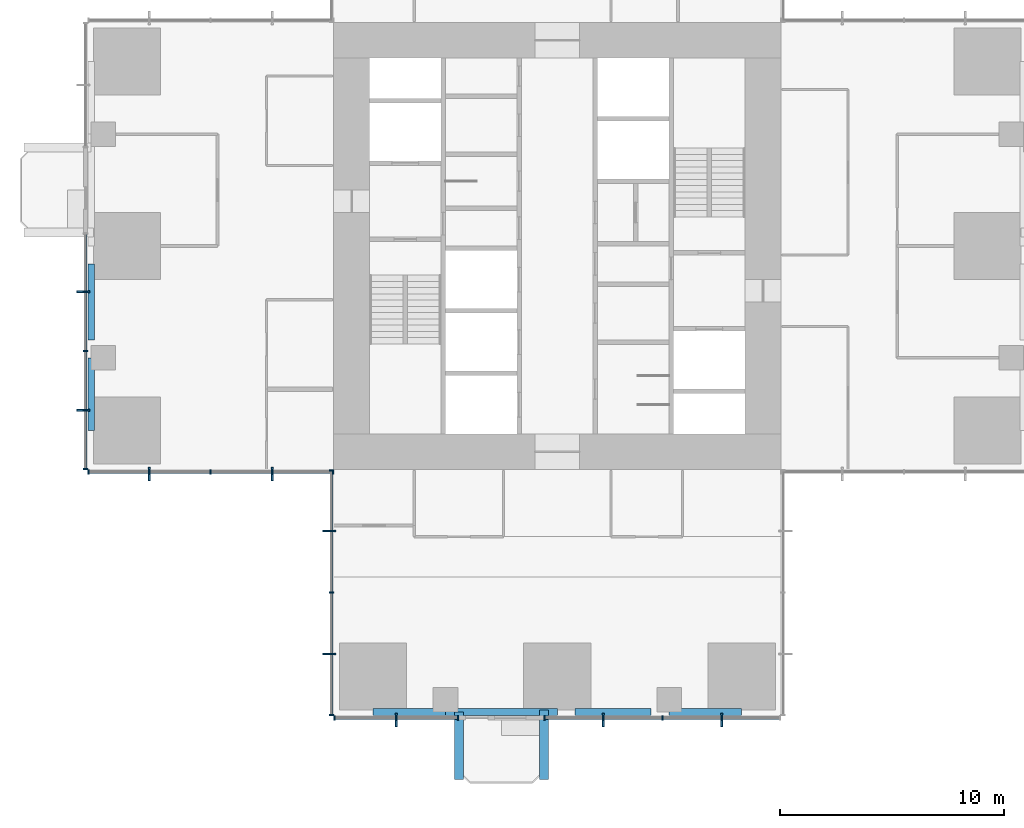
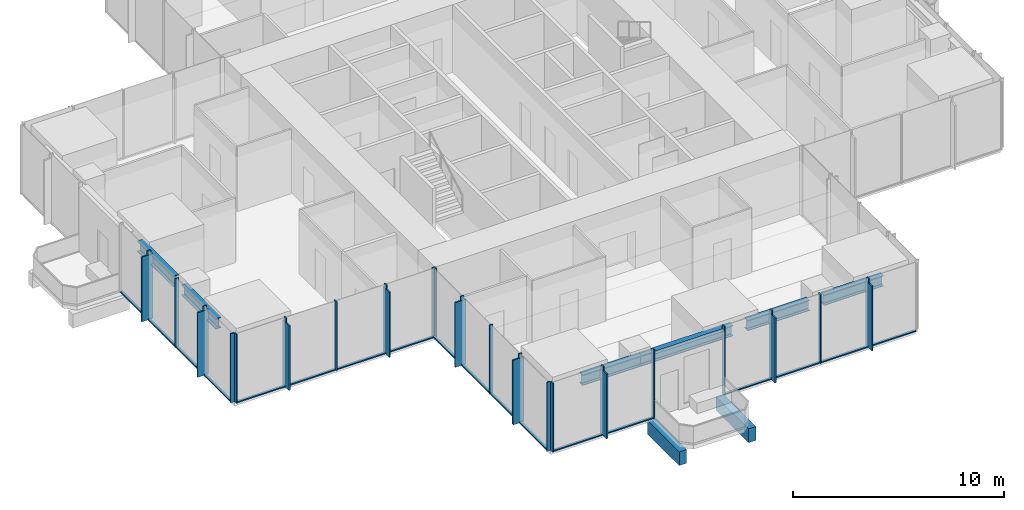
# One storey, part 2 of 13: 48 members, 8 beams, 5 elements without a shape of their own.
"""IFC4 building model written with IfcOpenShell, lengths in metres."""

from ifc_helpers import new_model, si_unit, direction, frame, origin, origin_2d, place, context, subcontext, project, spatial, rectangle, i_section, extrude, material, material_profile, profile_set, type_object, element, aggregate, save


model = new_model("IFC4")

# Units and contexts
model_context = context("Model", 3, precision=1e-05, world=origin(), true_north=direction((0.0, 1.0)))
body_context = subcontext(model_context, "Body", "Model", "MODEL_VIEW")
ifc_project = project(units=[si_unit("LENGTHUNIT", "METRE"), si_unit("AREAUNIT", "SQUARE_METRE"), si_unit("VOLUMEUNIT", "CUBIC_METRE"), si_unit("PLANEANGLEUNIT", "RADIAN"), si_unit("MASSUNIT", "GRAM", prefix="KILO")], contexts=[model_context])

# Site, building, storey
site_placement = place(None, origin())
site = spatial("IfcSite", under=ifc_project, at=site_placement, CompositionType="ELEMENT")
building_placement = place(site_placement, origin())
building = spatial("IfcBuilding", under=site, at=building_placement, Name="Svetlomir Tower", CompositionType="ELEMENT")
storey_placement = place(building_placement, frame((0.0, 0.0, 140.5)))
storey = spatial("IfcBuildingStorey", under=building, at=storey_placement, Name="L33", CompositionType="ELEMENT", Elevation=140.5)

# Beams
ifc_material_1 = material(Name="Concrete C60/75", Category="concrete")
ifc_material_profile_1 = material_profile(ifc_material_1, rectangle(XDim=0.39990234375, YDim=0.800048828125, at=origin_2d()), Name="RC 400x800")
ifc_profile_set_1 = profile_set([ifc_material_profile_1], Name="Concrete C60/75")
beam_type_1 = type_object("IfcBeamType", Name="BALCONY RIB RC 400x800", PredefinedType="BEAM", material=ifc_profile_set_1)
beam_1_placement = place(storey_placement, frame((16.60009765625, 0.14990234375, -0.64990234375), z_axis=(0.0, -1.0, 0.0), x_axis=(1.0, 0.0, 0.0)))
element("IfcBeam", 1, at=beam_1_placement, inside=storey, type_object=beam_type_1, Name="Balcony rib S 1 L33", PredefinedType="BEAM", context=body_context, shape_type="SweptSolid", body=[
    extrude(rectangle(XDim=0.39990234375, YDim=0.800048828125, at=origin_2d()), origin(), (0.0, 0.0, 1.0), 3.0),
])
beam_2_placement = place(storey_placement, frame((20.39990234375, 0.25, -0.64990234375), z_axis=(0.0, -1.0, 0.0), x_axis=(1.0, 0.0, 0.0)))
element("IfcBeam", 2, at=beam_2_placement, inside=storey, type_object=beam_type_1, Name="Balcony rib S 2 L33", PredefinedType="BEAM", context=body_context, shape_type="SweptSolid", body=[
    extrude(rectangle(XDim=0.39990234375, YDim=0.800048828125, at=origin_2d()), origin(), (0.0, 0.0, 1.0), 3.10009765625),
])

# Curtain wall, member
ifc_material_2 = material(Name="Bronze anodised aluminium curtain wall", Category="aluminium")
curtain_wall_type = type_object("IfcCurtainWallType", Name="CURTAIN WALL CW1 TOWER OFFICE", PredefinedType="NOTDEFINED", material=ifc_material_2)
curtain_wall_1_placement = place(storey_placement, origin())
curtain_wall_1 = element("IfcCurtainWall", 3, at=curtain_wall_1_placement, inside=storey, type_object=curtain_wall_type, Name="Curtain wall CW1 L33", PredefinedType="NOTDEFINED")
ifc_material_3 = material(Name="Bronze anodised aluminium", Category="aluminium")
ifc_material_profile_2 = material_profile(ifc_material_3, rectangle(XDim=0.080078125, YDim=0.60009765625, at=origin_2d()), Name="FIN 80x600")
ifc_profile_set_2 = profile_set([ifc_material_profile_2], Name="Bronze anodised aluminium 6063-T6")
member_type_1 = type_object("IfcMemberType", Name="BRONZE FIN 80x600", PredefinedType="USERDEFINED", material=ifc_profile_set_2)
member_1_placement = place(storey_placement, frame((13.800048828125, -0.199951171875, 0.0), z_axis=(0.0, 0.0, 1.0), x_axis=(1.0, 0.0, 0.0)))
member_1 = element("IfcMember", 4, at=member_1_placement, type_object=member_type_1, Name="Bronze fin L33", ObjectType="FIN", PredefinedType="USERDEFINED", context=body_context, shape_type="SweptSolid", body=[
    extrude(rectangle(XDim=0.080078125, YDim=0.60009765625, at=origin_2d()), origin(), (0.0, 0.0, 1.0), 3.75),
])

# Curtain wall, members
curtain_wall_2_placement = place(storey_placement, origin())
curtain_wall_2 = element("IfcCurtainWall", 5, at=curtain_wall_2_placement, inside=storey, type_object=curtain_wall_type, Name="Curtain wall CW1 L33", PredefinedType="NOTDEFINED")
member_2_placement = place(storey_placement, frame((23.050048828125, -0.199951171875, 0.0), z_axis=(0.0, 0.0, 1.0), x_axis=(1.0, 0.0, 0.0)))
member_2 = element("IfcMember", 6, at=member_2_placement, type_object=member_type_1, Name="Bronze fin L33", ObjectType="FIN", PredefinedType="USERDEFINED", context=body_context, shape_type="SweptSolid", body=[
    extrude(rectangle(XDim=0.080078125, YDim=0.60009765625, at=origin_2d()), origin(), (0.0, 0.0, 1.0), 3.75),
])
member_3_placement = place(storey_placement, frame((28.35009765625, -0.199951171875, 0.0), z_axis=(0.0, 0.0, 1.0), x_axis=(1.0, 0.0, 0.0)))
member_3 = element("IfcMember", 7, at=member_3_placement, type_object=member_type_1, Name="Bronze fin L33", ObjectType="FIN", PredefinedType="USERDEFINED", context=body_context, shape_type="SweptSolid", body=[
    extrude(rectangle(XDim=0.080078125, YDim=0.60009765625, at=origin_2d()), origin(), (0.0, 0.0, 1.0), 3.75),
])

curtain_wall_3_placement = place(storey_placement, origin())
curtain_wall_3 = element("IfcCurtainWall", 8, at=curtain_wall_3_placement, inside=storey, type_object=curtain_wall_type, Name="Curtain wall CW1 L33", PredefinedType="NOTDEFINED")
member_4_placement = place(storey_placement, frame((-0.199951171875, 18.949951171875, 0.0), z_axis=(0.0, 0.0, 1.0), x_axis=(0.0, 1.0, 0.0)))
member_4 = element("IfcMember", 9, at=member_4_placement, type_object=member_type_1, Name="Bronze fin L33", ObjectType="FIN", PredefinedType="USERDEFINED", context=body_context, shape_type="SweptSolid", body=[
    extrude(rectangle(XDim=0.080078125, YDim=0.60009765625, at=origin_2d()), origin(), (0.0, 0.0, 1.0), 3.75),
])
member_5_placement = place(storey_placement, frame((-0.199951171875, 13.64990234375, 0.0), z_axis=(0.0, 0.0, 1.0), x_axis=(0.0, 1.0, 0.0)))
member_5 = element("IfcMember", 10, at=member_5_placement, type_object=member_type_1, Name="Bronze fin L33", ObjectType="FIN", PredefinedType="USERDEFINED", context=body_context, shape_type="SweptSolid", body=[
    extrude(rectangle(XDim=0.080078125, YDim=0.60009765625, at=origin_2d()), origin(), (0.0, 0.0, 1.0), 3.75),
])

curtain_wall_4_placement = place(storey_placement, origin())
curtain_wall_4 = element("IfcCurtainWall", 11, at=curtain_wall_4_placement, inside=storey, type_object=curtain_wall_type, Name="Curtain wall CW1 L33", PredefinedType="NOTDEFINED")
member_6_placement = place(storey_placement, frame((2.75, 10.800048828125, 0.0), z_axis=(0.0, 0.0, 1.0), x_axis=(1.0, 0.0, 0.0)))
member_6 = element("IfcMember", 12, at=member_6_placement, type_object=member_type_1, Name="Bronze fin L33", ObjectType="FIN", PredefinedType="USERDEFINED", context=body_context, shape_type="SweptSolid", body=[
    extrude(rectangle(XDim=0.080078125, YDim=0.60009765625, at=origin_2d()), origin(), (0.0, 0.0, 1.0), 3.75),
])
member_7_placement = place(storey_placement, frame((8.25, 10.800048828125, 0.0), z_axis=(0.0, 0.0, 1.0), x_axis=(1.0, 0.0, 0.0)))
member_7 = element("IfcMember", 13, at=member_7_placement, type_object=member_type_1, Name="Bronze fin L33", ObjectType="FIN", PredefinedType="USERDEFINED", context=body_context, shape_type="SweptSolid", body=[
    extrude(rectangle(XDim=0.080078125, YDim=0.60009765625, at=origin_2d()), origin(), (0.0, 0.0, 1.0), 3.75),
])

curtain_wall_5_placement = place(storey_placement, origin())
curtain_wall_5 = element("IfcCurtainWall", 14, at=curtain_wall_5_placement, inside=storey, type_object=curtain_wall_type, Name="Curtain wall CW1 L33", PredefinedType="NOTDEFINED")
member_8_placement = place(storey_placement, frame((10.800048828125, 8.25, 0.0), z_axis=(0.0, 0.0, 1.0), x_axis=(0.0, 1.0, 0.0)))
member_8 = element("IfcMember", 15, at=member_8_placement, type_object=member_type_1, Name="Bronze fin L33", ObjectType="FIN", PredefinedType="USERDEFINED", context=body_context, shape_type="SweptSolid", body=[
    extrude(rectangle(XDim=0.080078125, YDim=0.60009765625, at=origin_2d()), origin(), (0.0, 0.0, 1.0), 3.75),
])
member_9_placement = place(storey_placement, frame((10.800048828125, 2.75, 0.0), z_axis=(0.0, 0.0, 1.0), x_axis=(0.0, 1.0, 0.0)))
member_9 = element("IfcMember", 16, at=member_9_placement, type_object=member_type_1, Name="Bronze fin L33", ObjectType="FIN", PredefinedType="USERDEFINED", context=body_context, shape_type="SweptSolid", body=[
    extrude(rectangle(XDim=0.080078125, YDim=0.60009765625, at=origin_2d()), origin(), (0.0, 0.0, 1.0), 3.75),
])

# Member
ifc_material_4 = material(Name="Bronze anodised aluminium", Category="aluminium")
ifc_material_profile_3 = material_profile(ifc_material_4, rectangle(XDim=0.06494140625, YDim=0.199951171875, at=origin_2d()), Name="AL 65x200")
ifc_profile_set_3 = profile_set([ifc_material_profile_3], Name="Bronze anodised aluminium 6063-T6")
member_type_2 = type_object("IfcMemberType", Name="CW1 MULLION 65x200", PredefinedType="MULLION", material=ifc_profile_set_3)
member_10_placement = place(storey_placement, frame((11.032470703125, -0.10009765625, 0.0), z_axis=(0.0, 0.0, 1.0), x_axis=(1.0, 0.0, 0.0)))
member_10 = element("IfcMember", 17, at=member_10_placement, type_object=member_type_2, Name="CW1 mullion 1", PredefinedType="MULLION", context=body_context, shape_type="SweptSolid", body=[
    extrude(rectangle(XDim=0.06494140625, YDim=0.199951171875, at=origin_2d()), origin(), (0.0, 0.0, 1.0), 4.0),
])

member_11_placement = place(storey_placement, frame((13.800048828125, -0.10009765625, 0.0), z_axis=(0.0, 0.0, 1.0), x_axis=(1.0, 0.0, 0.0)))
member_11 = element("IfcMember", 18, at=member_11_placement, type_object=member_type_2, Name="CW1 mullion 2", PredefinedType="MULLION", context=body_context, shape_type="SweptSolid", body=[
    extrude(rectangle(XDim=0.06494140625, YDim=0.199951171875, at=origin_2d()), origin(), (0.0, 0.0, 1.0), 4.0),
])

member_12_placement = place(storey_placement, frame((16.5673828125, -0.10009765625, 0.0), z_axis=(0.0, 0.0, 1.0), x_axis=(1.0, 0.0, 0.0)))
member_12 = element("IfcMember", 19, at=member_12_placement, type_object=member_type_2, Name="CW1 mullion 3", PredefinedType="MULLION", context=body_context, shape_type="SweptSolid", body=[
    extrude(rectangle(XDim=0.06494140625, YDim=0.199951171875, at=origin_2d()), origin(), (0.0, 0.0, 1.0), 4.0),
])

member_13_placement = place(storey_placement, frame((20.4326171875, -0.10009765625, 0.0), z_axis=(0.0, 0.0, 1.0), x_axis=(1.0, 0.0, 0.0)))
member_13 = element("IfcMember", 20, at=member_13_placement, type_object=member_type_2, Name="CW1 mullion 1", PredefinedType="MULLION", context=body_context, shape_type="SweptSolid", body=[
    extrude(rectangle(XDim=0.06494140625, YDim=0.199951171875, at=origin_2d()), origin(), (0.0, 0.0, 1.0), 4.0),
])

member_14_placement = place(storey_placement, frame((23.050048828125, -0.10009765625, 0.0), z_axis=(0.0, 0.0, 1.0), x_axis=(1.0, 0.0, 0.0)))
member_14 = element("IfcMember", 21, at=member_14_placement, type_object=member_type_2, Name="CW1 mullion 2", PredefinedType="MULLION", context=body_context, shape_type="SweptSolid", body=[
    extrude(rectangle(XDim=0.06494140625, YDim=0.199951171875, at=origin_2d()), origin(), (0.0, 0.0, 1.0), 4.0),
])

member_15_placement = place(storey_placement, frame((25.699951171875, -0.10009765625, 0.0), z_axis=(0.0, 0.0, 1.0), x_axis=(1.0, 0.0, 0.0)))
member_15 = element("IfcMember", 22, at=member_15_placement, type_object=member_type_2, Name="CW1 mullion 3", PredefinedType="MULLION", context=body_context, shape_type="SweptSolid", body=[
    extrude(rectangle(XDim=0.06494140625, YDim=0.199951171875, at=origin_2d()), origin(), (0.0, 0.0, 1.0), 4.0),
])

member_16_placement = place(storey_placement, frame((28.35009765625, -0.10009765625, 0.0), z_axis=(0.0, 0.0, 1.0), x_axis=(1.0, 0.0, 0.0)))
member_16 = element("IfcMember", 23, at=member_16_placement, type_object=member_type_2, Name="CW1 mullion 4", PredefinedType="MULLION", context=body_context, shape_type="SweptSolid", body=[
    extrude(rectangle(XDim=0.06494140625, YDim=0.199951171875, at=origin_2d()), origin(), (0.0, 0.0, 1.0), 4.0),
])

member_17_placement = place(storey_placement, frame((-0.10009765625, 18.949951171875, 0.0), z_axis=(0.0, 0.0, 1.0), x_axis=(0.0, -1.0, 0.0)))
member_17 = element("IfcMember", 24, at=member_17_placement, type_object=member_type_2, Name="CW1 mullion 2", PredefinedType="MULLION", context=body_context, shape_type="SweptSolid", body=[
    extrude(rectangle(XDim=0.06494140625, YDim=0.199951171875, at=origin_2d()), origin(), (0.0, 0.0, 1.0), 4.0),
])

member_18_placement = place(storey_placement, frame((-0.10009765625, 16.300048828125, 0.0), z_axis=(0.0, 0.0, 1.0), x_axis=(0.0, -1.0, 0.0)))
member_18 = element("IfcMember", 25, at=member_18_placement, type_object=member_type_2, Name="CW1 mullion 3", PredefinedType="MULLION", context=body_context, shape_type="SweptSolid", body=[
    extrude(rectangle(XDim=0.06494140625, YDim=0.199951171875, at=origin_2d()), origin(), (0.0, 0.0, 1.0), 4.0),
])

member_19_placement = place(storey_placement, frame((-0.10009765625, 13.64990234375, 0.0), z_axis=(0.0, 0.0, 1.0), x_axis=(0.0, -1.0, 0.0)))
member_19 = element("IfcMember", 26, at=member_19_placement, type_object=member_type_2, Name="CW1 mullion 4", PredefinedType="MULLION", context=body_context, shape_type="SweptSolid", body=[
    extrude(rectangle(XDim=0.06494140625, YDim=0.199951171875, at=origin_2d()), origin(), (0.0, 0.0, 1.0), 4.0),
])

member_20_placement = place(storey_placement, frame((-0.10009765625, 11.032470703125, 0.0), z_axis=(0.0, 0.0, 1.0), x_axis=(0.0, -1.0, 0.0)))
member_20 = element("IfcMember", 27, at=member_20_placement, type_object=member_type_2, Name="CW1 mullion 5", PredefinedType="MULLION", context=body_context, shape_type="SweptSolid", body=[
    extrude(rectangle(XDim=0.06494140625, YDim=0.199951171875, at=origin_2d()), origin(), (0.0, 0.0, 1.0), 4.0),
])

member_21_placement = place(storey_placement, frame((0.032470703125, 10.89990234375, 0.0), z_axis=(0.0, 0.0, 1.0), x_axis=(1.0, 0.0, 0.0)))
member_21 = element("IfcMember", 28, at=member_21_placement, type_object=member_type_2, Name="CW1 mullion 1", PredefinedType="MULLION", context=body_context, shape_type="SweptSolid", body=[
    extrude(rectangle(XDim=0.06494140625, YDim=0.199951171875, at=origin_2d()), origin(), (0.0, 0.0, 1.0), 4.0),
])

member_22_placement = place(storey_placement, frame((2.75, 10.89990234375, 0.0), z_axis=(0.0, 0.0, 1.0), x_axis=(1.0, 0.0, 0.0)))
member_22 = element("IfcMember", 29, at=member_22_placement, type_object=member_type_2, Name="CW1 mullion 2", PredefinedType="MULLION", context=body_context, shape_type="SweptSolid", body=[
    extrude(rectangle(XDim=0.06494140625, YDim=0.199951171875, at=origin_2d()), origin(), (0.0, 0.0, 1.0), 4.0),
])

member_23_placement = place(storey_placement, frame((5.5, 10.89990234375, 0.0), z_axis=(0.0, 0.0, 1.0), x_axis=(1.0, 0.0, 0.0)))
member_23 = element("IfcMember", 30, at=member_23_placement, type_object=member_type_2, Name="CW1 mullion 3", PredefinedType="MULLION", context=body_context, shape_type="SweptSolid", body=[
    extrude(rectangle(XDim=0.06494140625, YDim=0.199951171875, at=origin_2d()), origin(), (0.0, 0.0, 1.0), 4.0),
])

member_24_placement = place(storey_placement, frame((8.25, 10.89990234375, 0.0), z_axis=(0.0, 0.0, 1.0), x_axis=(1.0, 0.0, 0.0)))
member_24 = element("IfcMember", 31, at=member_24_placement, type_object=member_type_2, Name="CW1 mullion 4", PredefinedType="MULLION", context=body_context, shape_type="SweptSolid", body=[
    extrude(rectangle(XDim=0.06494140625, YDim=0.199951171875, at=origin_2d()), origin(), (0.0, 0.0, 1.0), 4.0),
])

member_25_placement = place(storey_placement, frame((10.967529296875, 10.89990234375, 0.0), z_axis=(0.0, 0.0, 1.0), x_axis=(1.0, 0.0, 0.0)))
member_25 = element("IfcMember", 32, at=member_25_placement, type_object=member_type_2, Name="CW1 mullion 5", PredefinedType="MULLION", context=body_context, shape_type="SweptSolid", body=[
    extrude(rectangle(XDim=0.06494140625, YDim=0.199951171875, at=origin_2d()), origin(), (0.0, 0.0, 1.0), 4.0),
])

member_26_placement = place(storey_placement, frame((10.89990234375, 10.967529296875, 0.0), z_axis=(0.0, 0.0, 1.0), x_axis=(0.0, -1.0, 0.0)))
member_26 = element("IfcMember", 33, at=member_26_placement, type_object=member_type_2, Name="CW1 mullion 1", PredefinedType="MULLION", context=body_context, shape_type="SweptSolid", body=[
    extrude(rectangle(XDim=0.06494140625, YDim=0.199951171875, at=origin_2d()), origin(), (0.0, 0.0, 1.0), 4.0),
])

member_27_placement = place(storey_placement, frame((10.89990234375, 8.25, 0.0), z_axis=(0.0, 0.0, 1.0), x_axis=(0.0, -1.0, 0.0)))
member_27 = element("IfcMember", 34, at=member_27_placement, type_object=member_type_2, Name="CW1 mullion 2", PredefinedType="MULLION", context=body_context, shape_type="SweptSolid", body=[
    extrude(rectangle(XDim=0.06494140625, YDim=0.199951171875, at=origin_2d()), origin(), (0.0, 0.0, 1.0), 4.0),
])

member_28_placement = place(storey_placement, frame((10.89990234375, 5.5, 0.0), z_axis=(0.0, 0.0, 1.0), x_axis=(0.0, -1.0, 0.0)))
member_28 = element("IfcMember", 35, at=member_28_placement, type_object=member_type_2, Name="CW1 mullion 3", PredefinedType="MULLION", context=body_context, shape_type="SweptSolid", body=[
    extrude(rectangle(XDim=0.06494140625, YDim=0.199951171875, at=origin_2d()), origin(), (0.0, 0.0, 1.0), 4.0),
])

member_29_placement = place(storey_placement, frame((10.89990234375, 2.75, 0.0), z_axis=(0.0, 0.0, 1.0), x_axis=(0.0, -1.0, 0.0)))
member_29 = element("IfcMember", 36, at=member_29_placement, type_object=member_type_2, Name="CW1 mullion 4", PredefinedType="MULLION", context=body_context, shape_type="SweptSolid", body=[
    extrude(rectangle(XDim=0.06494140625, YDim=0.199951171875, at=origin_2d()), origin(), (0.0, 0.0, 1.0), 4.0),
])

member_30_placement = place(storey_placement, frame((10.89990234375, 0.032470703125, 0.0), z_axis=(0.0, 0.0, 1.0), x_axis=(0.0, -1.0, 0.0)))
member_30 = element("IfcMember", 37, at=member_30_placement, type_object=member_type_2, Name="CW1 mullion 5", PredefinedType="MULLION", context=body_context, shape_type="SweptSolid", body=[
    extrude(rectangle(XDim=0.06494140625, YDim=0.199951171875, at=origin_2d()), origin(), (0.0, 0.0, 1.0), 4.0),
])

ifc_material_5 = material(Name="Bronze anodised aluminium", Category="aluminium")
ifc_material_profile_4 = material_profile(ifc_material_5, rectangle(XDim=0.139892578125, YDim=0.06494140625, at=origin_2d()), Name="AL 140x65")
ifc_profile_set_4 = profile_set([ifc_material_profile_4], Name="Bronze anodised aluminium 6063-T6")
member_type_3 = type_object("IfcMemberType", Name="CW1 TRANSOM 65x140", PredefinedType="USERDEFINED", material=ifc_profile_set_4)
member_31_placement = place(storey_placement, frame((11.06494140625, -0.10009765625, 0.032470703125), z_axis=(1.0, 0.0, 0.0), x_axis=(0.0, 1.0, 0.0)))
member_31 = element("IfcMember", 38, at=member_31_placement, type_object=member_type_3, Name="CW1 transom 1.1", ObjectType="TRANSOM", PredefinedType="USERDEFINED", context=body_context, shape_type="SweptSolid", body=[
    extrude(rectangle(XDim=0.139892578125, YDim=0.06494140625, at=origin_2d()), origin(), (0.0, 0.0, 1.0), 2.70263671875),
])

member_32_placement = place(storey_placement, frame((13.83251953125, -0.10009765625, 0.032470703125), z_axis=(1.0, 0.0, 0.0), x_axis=(0.0, 1.0, 0.0)))
member_32 = element("IfcMember", 39, at=member_32_placement, type_object=member_type_3, Name="CW1 transom 2.1", ObjectType="TRANSOM", PredefinedType="USERDEFINED", context=body_context, shape_type="SweptSolid", body=[
    extrude(rectangle(XDim=0.139892578125, YDim=0.06494140625, at=origin_2d()), origin(), (0.0, 0.0, 1.0), 2.702392578125),
])

aggregate(curtain_wall_1, [member_10, member_11, member_12, member_31, member_32, member_1])

member_33_placement = place(storey_placement, frame((20.465087890625, -0.10009765625, 0.032470703125), z_axis=(1.0, 0.0, 0.0), x_axis=(0.0, 1.0, 0.0)))
member_33 = element("IfcMember", 40, at=member_33_placement, type_object=member_type_3, Name="CW1 transom 1.1", ObjectType="TRANSOM", PredefinedType="USERDEFINED", context=body_context, shape_type="SweptSolid", body=[
    extrude(rectangle(XDim=0.139892578125, YDim=0.06494140625, at=origin_2d()), origin(), (0.0, 0.0, 1.0), 2.552490234375),
])

member_34_placement = place(storey_placement, frame((23.08251953125, -0.10009765625, 0.032470703125), z_axis=(1.0, 0.0, 0.0), x_axis=(0.0, 1.0, 0.0)))
member_34 = element("IfcMember", 41, at=member_34_placement, type_object=member_type_3, Name="CW1 transom 2.1", ObjectType="TRANSOM", PredefinedType="USERDEFINED", context=body_context, shape_type="SweptSolid", body=[
    extrude(rectangle(XDim=0.139892578125, YDim=0.06494140625, at=origin_2d()), origin(), (0.0, 0.0, 1.0), 2.5849609375),
])

member_35_placement = place(storey_placement, frame((25.732421875, -0.10009765625, 0.032470703125), z_axis=(1.0, 0.0, 0.0), x_axis=(0.0, 1.0, 0.0)))
member_35 = element("IfcMember", 42, at=member_35_placement, type_object=member_type_3, Name="CW1 transom 3.1", ObjectType="TRANSOM", PredefinedType="USERDEFINED", context=body_context, shape_type="SweptSolid", body=[
    extrude(rectangle(XDim=0.139892578125, YDim=0.06494140625, at=origin_2d()), origin(), (0.0, 0.0, 1.0), 2.5849609375),
])

member_36_placement = place(storey_placement, frame((28.382568359375, -0.10009765625, 0.032470703125), z_axis=(1.0, 0.0, 0.0), x_axis=(0.0, 1.0, 0.0)))
member_36 = element("IfcMember", 43, at=member_36_placement, type_object=member_type_3, Name="CW1 transom 4.1", ObjectType="TRANSOM", PredefinedType="USERDEFINED", context=body_context, shape_type="SweptSolid", body=[
    extrude(rectangle(XDim=0.139892578125, YDim=0.06494140625, at=origin_2d()), origin(), (0.0, 0.0, 1.0), 2.552490234375),
])

aggregate(curtain_wall_2, [member_13, member_14, member_15, member_16, member_33, member_34, member_35, member_36, member_2, member_3])

member_37_placement = place(storey_placement, frame((-0.10009765625, 21.534912109375, 0.032470703125), z_axis=(0.0, -1.0, 0.0), x_axis=(1.0, 0.0, 0.0)))
member_37 = element("IfcMember", 44, at=member_37_placement, type_object=member_type_3, Name="CW1 transom 1.1", ObjectType="TRANSOM", PredefinedType="USERDEFINED", context=body_context, shape_type="SweptSolid", body=[
    extrude(rectangle(XDim=0.139892578125, YDim=0.06494140625, at=origin_2d()), origin(), (0.0, 0.0, 1.0), 2.552490234375),
])

member_38_placement = place(storey_placement, frame((-0.10009765625, 18.91748046875, 0.032470703125), z_axis=(0.0, -1.0, 0.0), x_axis=(1.0, 0.0, 0.0)))
member_38 = element("IfcMember", 45, at=member_38_placement, type_object=member_type_3, Name="CW1 transom 2.1", ObjectType="TRANSOM", PredefinedType="USERDEFINED", context=body_context, shape_type="SweptSolid", body=[
    extrude(rectangle(XDim=0.139892578125, YDim=0.06494140625, at=origin_2d()), origin(), (0.0, 0.0, 1.0), 2.5849609375),
])

member_39_placement = place(storey_placement, frame((-0.10009765625, 16.267578125, 0.032470703125), z_axis=(0.0, -1.0, 0.0), x_axis=(1.0, 0.0, 0.0)))
member_39 = element("IfcMember", 46, at=member_39_placement, type_object=member_type_3, Name="CW1 transom 3.1", ObjectType="TRANSOM", PredefinedType="USERDEFINED", context=body_context, shape_type="SweptSolid", body=[
    extrude(rectangle(XDim=0.139892578125, YDim=0.06494140625, at=origin_2d()), origin(), (0.0, 0.0, 1.0), 2.5849609375),
])

member_40_placement = place(storey_placement, frame((-0.10009765625, 13.617431640625, 0.032470703125), z_axis=(0.0, -1.0, 0.0), x_axis=(1.0, 0.0, 0.0)))
member_40 = element("IfcMember", 47, at=member_40_placement, type_object=member_type_3, Name="CW1 transom 4.1", ObjectType="TRANSOM", PredefinedType="USERDEFINED", context=body_context, shape_type="SweptSolid", body=[
    extrude(rectangle(XDim=0.139892578125, YDim=0.06494140625, at=origin_2d()), origin(), (0.0, 0.0, 1.0), 2.552490234375),
])

aggregate(curtain_wall_3, [member_17, member_18, member_19, member_20, member_37, member_38, member_39, member_40, member_4, member_5])

member_41_placement = place(storey_placement, frame((0.06494140625, 10.89990234375, 0.032470703125), z_axis=(1.0, 0.0, 0.0), x_axis=(0.0, 1.0, 0.0)))
member_41 = element("IfcMember", 48, at=member_41_placement, type_object=member_type_3, Name="CW1 transom 1.1", ObjectType="TRANSOM", PredefinedType="USERDEFINED", context=body_context, shape_type="SweptSolid", body=[
    extrude(rectangle(XDim=0.139892578125, YDim=0.06494140625, at=origin_2d()), origin(), (0.0, 0.0, 1.0), 2.652587890625),
])

member_42_placement = place(storey_placement, frame((2.782470703125, 10.89990234375, 0.032470703125), z_axis=(1.0, 0.0, 0.0), x_axis=(0.0, 1.0, 0.0)))
member_42 = element("IfcMember", 49, at=member_42_placement, type_object=member_type_3, Name="CW1 transom 2.1", ObjectType="TRANSOM", PredefinedType="USERDEFINED", context=body_context, shape_type="SweptSolid", body=[
    extrude(rectangle(XDim=0.139892578125, YDim=0.06494140625, at=origin_2d()), origin(), (0.0, 0.0, 1.0), 2.68505859375),
])

member_43_placement = place(storey_placement, frame((5.532470703125, 10.89990234375, 0.032470703125), z_axis=(1.0, 0.0, 0.0), x_axis=(0.0, 1.0, 0.0)))
member_43 = element("IfcMember", 50, at=member_43_placement, type_object=member_type_3, Name="CW1 transom 3.1", ObjectType="TRANSOM", PredefinedType="USERDEFINED", context=body_context, shape_type="SweptSolid", body=[
    extrude(rectangle(XDim=0.139892578125, YDim=0.06494140625, at=origin_2d()), origin(), (0.0, 0.0, 1.0), 2.68505859375),
])

member_44_placement = place(storey_placement, frame((8.282470703125, 10.89990234375, 0.032470703125), z_axis=(1.0, 0.0, 0.0), x_axis=(0.0, 1.0, 0.0)))
member_44 = element("IfcMember", 51, at=member_44_placement, type_object=member_type_3, Name="CW1 transom 4.1", ObjectType="TRANSOM", PredefinedType="USERDEFINED", context=body_context, shape_type="SweptSolid", body=[
    extrude(rectangle(XDim=0.139892578125, YDim=0.06494140625, at=origin_2d()), origin(), (0.0, 0.0, 1.0), 2.652587890625),
])

aggregate(curtain_wall_4, [member_21, member_22, member_23, member_24, member_25, member_41, member_42, member_43, member_44, member_6, member_7])

member_45_placement = place(storey_placement, frame((10.89990234375, 10.93505859375, 0.032470703125), z_axis=(0.0, -1.0, 0.0), x_axis=(1.0, 0.0, 0.0)))
member_45 = element("IfcMember", 52, at=member_45_placement, type_object=member_type_3, Name="CW1 transom 1.1", ObjectType="TRANSOM", PredefinedType="USERDEFINED", context=body_context, shape_type="SweptSolid", body=[
    extrude(rectangle(XDim=0.139892578125, YDim=0.06494140625, at=origin_2d()), origin(), (0.0, 0.0, 1.0), 2.652587890625),
])

member_46_placement = place(storey_placement, frame((10.89990234375, 8.217529296875, 0.032470703125), z_axis=(0.0, -1.0, 0.0), x_axis=(1.0, 0.0, 0.0)))
member_46 = element("IfcMember", 53, at=member_46_placement, type_object=member_type_3, Name="CW1 transom 2.1", ObjectType="TRANSOM", PredefinedType="USERDEFINED", context=body_context, shape_type="SweptSolid", body=[
    extrude(rectangle(XDim=0.139892578125, YDim=0.06494140625, at=origin_2d()), origin(), (0.0, 0.0, 1.0), 2.68505859375),
])

member_47_placement = place(storey_placement, frame((10.89990234375, 5.467529296875, 0.032470703125), z_axis=(0.0, -1.0, 0.0), x_axis=(1.0, 0.0, 0.0)))
member_47 = element("IfcMember", 54, at=member_47_placement, type_object=member_type_3, Name="CW1 transom 3.1", ObjectType="TRANSOM", PredefinedType="USERDEFINED", context=body_context, shape_type="SweptSolid", body=[
    extrude(rectangle(XDim=0.139892578125, YDim=0.06494140625, at=origin_2d()), origin(), (0.0, 0.0, 1.0), 2.68505859375),
])

member_48_placement = place(storey_placement, frame((10.89990234375, 2.717529296875, 0.032470703125), z_axis=(0.0, -1.0, 0.0), x_axis=(1.0, 0.0, 0.0)))
member_48 = element("IfcMember", 55, at=member_48_placement, type_object=member_type_3, Name="CW1 transom 4.1", ObjectType="TRANSOM", PredefinedType="USERDEFINED", context=body_context, shape_type="SweptSolid", body=[
    extrude(rectangle(XDim=0.139892578125, YDim=0.06494140625, at=origin_2d()), origin(), (0.0, 0.0, 1.0), 2.652587890625),
])

aggregate(curtain_wall_5, [member_26, member_27, member_28, member_29, member_30, member_45, member_46, member_47, member_48, member_8, member_9])

# Beams
ifc_material_6 = material(Name="Steel S355", Category="steel")
ifc_material_profile_5 = material_profile(ifc_material_6, i_section(OverallWidth=0.304931640625, OverallDepth=0.6201171875, WebThickness=0.02099609375, FlangeThickness=0.0400390625, FilletRadius=0.027099609375, at=origin_2d()), Name="HEM 600")
ifc_profile_set_5 = profile_set([ifc_material_profile_5], Name="Steel S355")
beam_type_2 = type_object("IfcBeamType", Name="EDGE BEAM HEM 600", PredefinedType="SPANDREL", material=ifc_profile_set_5)
for number, where, z_axis, x_axis, name in (
    (56, (12.75, 0.152587890625, 3.43994140625), (1.0, 0.0, 0.0), (0.0, 1.0, 0.0), "Edge beam 11/0 to 16/0 under L34"),
    (57, (0.152587890625, 12.75, 3.43994140625), (0.0, 1.0, 0.0), (-1.0, 0.0, 0.0), "Edge beam 0/11 to 0/16 under L34"),
):
    element("IfcBeam", number, at=place(storey_placement, frame(where, z_axis=z_axis, x_axis=x_axis)), inside=storey, type_object=beam_type_2, Name=name, PredefinedType="SPANDREL", context=body_context, shape_type="SweptSolid", body=[
        extrude(i_section(OverallWidth=0.304931640625, OverallDepth=0.6201171875, WebThickness=0.02099609375, FlangeThickness=0.0400390625, FilletRadius=0.027099609375, at=origin_2d()), origin(), (0.0, 0.0, 1.0), 3.25),
    ])
beam_3_placement = place(storey_placement, frame((16.0, 0.152587890625, 3.43994140625), z_axis=(1.0, 0.0, 0.0), x_axis=(0.0, 1.0, 0.0)))
element("IfcBeam", 58, at=beam_3_placement, inside=storey, type_object=beam_type_2, Name="Edge beam 16/0 to 21/0 under L34", PredefinedType="SPANDREL", context=body_context, shape_type="SweptSolid", body=[
    extrude(i_section(OverallWidth=0.304931640625, OverallDepth=0.6201171875, WebThickness=0.02099609375, FlangeThickness=0.0400390625, FilletRadius=0.027099609375, at=origin_2d()), origin(), (0.0, 0.0, 1.0), 5.0),
])
for number, where, z_axis, x_axis, name in (
    (59, (0.152587890625, 16.800048828125, 3.43994140625), (0.0, 1.0, 0.0), (-1.0, 0.0, 0.0), "Edge beam 0/16 to 0/21 under L34"),
    (60, (21.800048828125, 0.152587890625, 3.43994140625), (1.0, 0.0, 0.0), (0.0, 1.0, 0.0), "Edge beam 21/0 to 26/0 under L34"),
):
    element("IfcBeam", number, at=place(storey_placement, frame(where, z_axis=z_axis, x_axis=x_axis)), inside=storey, type_object=beam_type_2, Name=name, PredefinedType="SPANDREL", context=body_context, shape_type="SweptSolid", body=[
        extrude(i_section(OverallWidth=0.304931640625, OverallDepth=0.6201171875, WebThickness=0.02099609375, FlangeThickness=0.0400390625, FilletRadius=0.027099609375, at=origin_2d()), origin(), (0.0, 0.0, 1.0), 3.39990234375),
    ])
beam_4_placement = place(storey_placement, frame((26.0, 0.152587890625, 3.43994140625), z_axis=(1.0, 0.0, 0.0), x_axis=(0.0, 1.0, 0.0)))
element("IfcBeam", 61, at=beam_4_placement, inside=storey, type_object=beam_type_2, Name="Edge beam 26/0 to 31/0 under L34", PredefinedType="SPANDREL", context=body_context, shape_type="SweptSolid", body=[
    extrude(i_section(OverallWidth=0.304931640625, OverallDepth=0.6201171875, WebThickness=0.02099609375, FlangeThickness=0.0400390625, FilletRadius=0.027099609375, at=origin_2d()), origin(), (0.0, 0.0, 1.0), 3.25),
])

save(model, "model.ifc")
